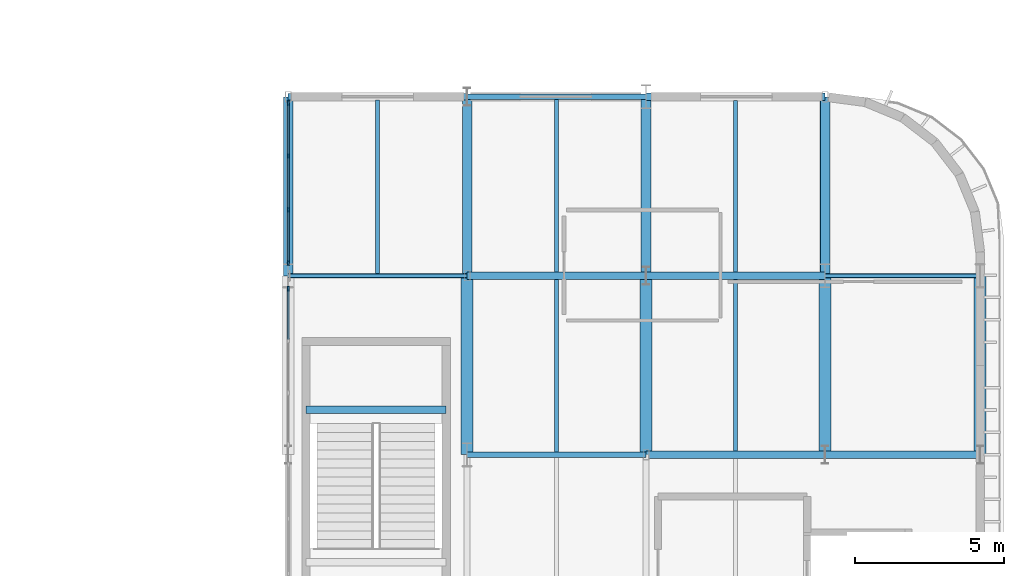
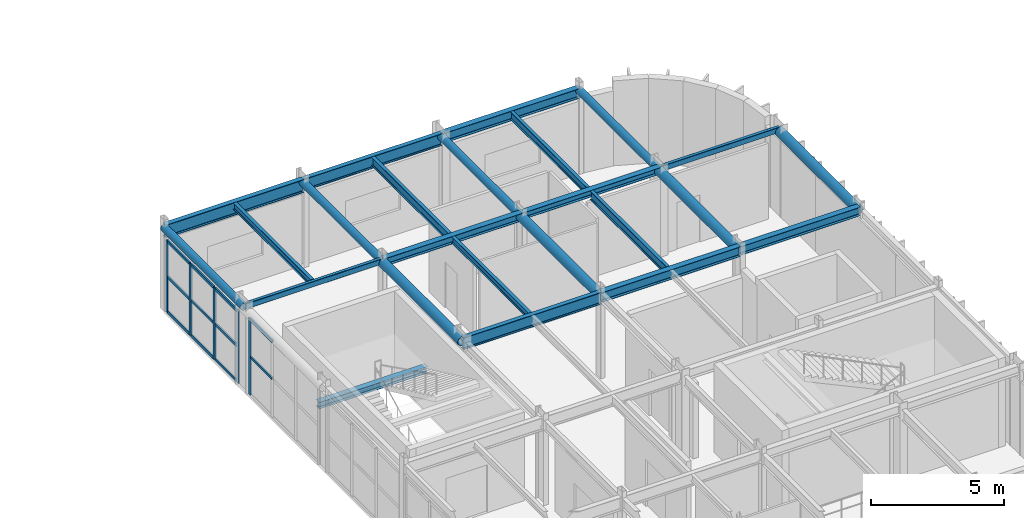
# One storey, part 74 of 116: 24 beams, 16 members, 2 elements without a shape of their own.
"""IFC4 building model written with IfcOpenShell, lengths in metres."""

import ifcopenshell
import ifcopenshell.guid

model = None  # the IFC model being written
_history = None  # IfcOwnerHistory: only IFC2X3 demands one
_inside = {}  # id of a spatial element -> (the spatial element, [elements in it])
_under = {}  # id of a project, library or spatial element -> (it, [spatial elements below it])
_declared = {}  # id of a project -> (the project, [libraries it declares])
_typed = {}  # id of a type object -> (the type object, [elements of that type])
_made_of = {}  # id of a material, layer set ... -> (it, [elements and type objects made of it])


def new_model(schema):
    """Start an empty IFC model of exactly this schema.

    Asked for "IFC4X3", IfcOpenShell would pick the latest addendum, in which some entities
    have other attributes; the version numbers below select the first issue.
    IFC2X3 requires an IfcOwnerHistory on every rooted entity: one is made here for all.
    """
    global model, _history
    if schema == "IFC4X3":
        model = ifcopenshell.file(schema_version=(4, 3, 0, 0))
    else:
        model = ifcopenshell.file(schema=schema)
    _inside.clear()
    _under.clear()
    _declared.clear()
    _typed.clear()
    _made_of.clear()
    _history = None
    if model.schema == "IFC2X3":
        org = make("IfcOrganization", Name="unknown")
        user = make(
            "IfcPersonAndOrganization",
            ThePerson=make("IfcPerson", FamilyName="unknown"),
            TheOrganization=org,
        )
        app = make(
            "IfcApplication",
            ApplicationDeveloper=org,
            Version="unknown",
            ApplicationFullName="unknown",
            ApplicationIdentifier="unknown",
        )
        _history = make(
            "IfcOwnerHistory",
            OwningUser=user,
            OwningApplication=app,
            ChangeAction="ADDED",
            CreationDate=0,
        )
    return model


def make(cls, **values):
    """One entity of the class cls with the attributes given. An attribute that is None is left unset."""
    return model.create_entity(
        cls, **{name: value for name, value in values.items() if value is not None}
    )


def rooted(cls, **values):
    """An entity with a GlobalId (a new one), such as an element, a storey or a relation."""
    return make(cls, GlobalId=ifcopenshell.guid.new(), OwnerHistory=_history, **values)


def si_unit(unit_type, name, prefix=None):
    """IfcSIUnit, for example si_unit("LENGTHUNIT", "METRE", prefix="MILLI")."""
    return make("IfcSIUnit", UnitType=unit_type, Prefix=prefix, Name=name)


def assignment(units):
    """IfcUnitAssignment: the units of a project."""
    return None if units is None else make("IfcUnitAssignment", Units=units)


def point(xyz):
    """IfcCartesianPoint."""
    return None if xyz is None else make("IfcCartesianPoint", Coordinates=xyz)


def direction(xyz):
    """IfcDirection."""
    return None if xyz is None else make("IfcDirection", DirectionRatios=xyz)


def frame(location, z_axis=None, x_axis=None):
    """IfcAxis2Placement3D, a coordinate frame: its origin and axes. An axis left out is left unset."""
    return make(
        "IfcAxis2Placement3D",
        Location=point(location),
        Axis=direction(z_axis),
        RefDirection=direction(x_axis),
    )


def frame_2d(location, x_axis=None):
    """IfcAxis2Placement2D, a coordinate frame in the plane: its origin and x axis."""
    return make(
        "IfcAxis2Placement2D", Location=point(location), RefDirection=direction(x_axis)
    )


def origin():
    """The frame at (0, 0, 0) with its axes left unset."""
    return frame((0.0, 0.0, 0.0))


def origin_2d():
    """The frame at (0, 0) in the plane with its x axis left unset."""
    return frame_2d((0.0, 0.0))


def place(relative_to, where):
    """IfcLocalPlacement: puts the frame where relative to a parent placement (None: the world)."""
    return make(
        "IfcLocalPlacement", PlacementRelTo=relative_to, RelativePlacement=where
    )


def context(
    kind, dimensions, precision=None, world=None, true_north=None, identifier=None
):
    """IfcGeometricRepresentationContext, for example the 3D "Model" context."""
    return make(
        "IfcGeometricRepresentationContext",
        ContextIdentifier=identifier,
        ContextType=kind,
        CoordinateSpaceDimension=dimensions,
        Precision=precision,
        WorldCoordinateSystem=world,
        TrueNorth=true_north,
    )


def subcontext(parent, identifier, kind, view, scale=None):
    """IfcGeometricRepresentationSubContext, for example "Body" below "Model"."""
    return make(
        "IfcGeometricRepresentationSubContext",
        ContextIdentifier=identifier,
        ContextType=kind,
        ParentContext=parent,
        TargetScale=scale,
        TargetView=view,
    )


def project(units=None, contexts=None):
    """IfcProject with its units and contexts."""
    return rooted(
        "IfcProject",
        Name="project",
        RepresentationContexts=contexts,
        UnitsInContext=assignment(units),
    )


def spatial(cls, under=None, at=None, **own):
    """A site, building, storey or space (cls), placed at a placement, below another one or the project."""
    s = rooted(cls, ObjectPlacement=at, **own)
    if under is not None:
        _under.setdefault(under.id(), (under, []))[1].append(s)
    return s


def profile(cls, at=None, kind="AREA", **sizes):
    """A parametric profile (cls). Its sizes go by their IFC names, for example OverallWidth=200.0."""
    return make(cls, ProfileType=kind, Position=at, **sizes)


def rectangle(**sizes):
    """IfcRectangleProfileDef."""
    return profile("IfcRectangleProfileDef", **sizes)


def hollow_rectangle(**sizes):
    """IfcRectangleHollowProfileDef."""
    return profile("IfcRectangleHollowProfileDef", **sizes)


def hollow_circle(**sizes):
    """IfcCircleHollowProfileDef."""
    return profile("IfcCircleHollowProfileDef", **sizes)


def i_section(**sizes):
    """IfcIShapeProfileDef."""
    return profile("IfcIShapeProfileDef", **sizes)


def extrude(swept, where, along, depth):
    """IfcExtrudedAreaSolid: the profile swept, set in the frame where, extruded along a direction by depth."""
    return make(
        "IfcExtrudedAreaSolid",
        SweptArea=swept,
        Position=where,
        ExtrudedDirection=direction(along),
        Depth=depth,
    )


def shape(context_of_items, identifier, shape_type, items):
    """IfcShapeRepresentation: the items that make up one representation, for example the "Body"."""
    return make(
        "IfcShapeRepresentation",
        ContextOfItems=context_of_items,
        RepresentationIdentifier=identifier,
        RepresentationType=shape_type,
        Items=items,
    )


def material(Name=None, Category=None):
    """IfcMaterial."""
    return make("IfcMaterial", Name=Name, Category=Category)


def material_profile(
    of_material, cross_section, Name=None, Category=None, Priority=None
):
    """IfcMaterialProfile: a cross section and its material."""
    return make(
        "IfcMaterialProfile",
        Name=Name,
        Material=of_material,
        Profile=cross_section,
        Priority=Priority,
        Category=Category,
    )


def profile_set(profiles, Name=None, composite=None):
    """IfcMaterialProfileSet."""
    return make(
        "IfcMaterialProfileSet",
        Name=Name,
        MaterialProfiles=profiles,
        CompositeProfile=composite,
    )


def made_of(thing, what):
    """Note that an element or type object is made of a material, layer set ...; save() writes the relation."""
    if what is not None:
        _made_of.setdefault(what.id(), (what, []))[1].append(thing)
    return thing


def type_object(cls, material=None, **own):
    """A type object (cls), such as IfcWallType, which elements share."""
    return made_of(rooted(cls, **own), material)


def element(
    cls,
    number,
    at=None,
    inside=None,
    cuts=None,
    type_object=None,
    material=None,
    context=None,
    identifier="Body",
    shape_type=None,
    held_by="IfcProductDefinitionShape",
    body=None,
    shapes=None,
    **own,
):
    """One element of the class cls, such as IfcWall. Its Tag is "e" and its number.

    at: its placement. inside: the storey or other place that contains it. cuts: it is an
    opening in that element (IfcRelVoidsElement). A single representation is given by context,
    identifier, shape_type and body (its items); several are given by shapes. held_by: the class
    of the entity that holds the representations. save() writes the other relations.
    """
    e = rooted(cls, Tag="e%d" % number, ObjectPlacement=at, **own)
    if body is not None:
        shapes = [shape(context, identifier, shape_type, body)]
    if shapes is not None:
        e.Representation = make(held_by, Representations=shapes)
    if inside is not None:
        _inside.setdefault(inside.id(), (inside, []))[1].append(e)
    if cuts is not None:
        rooted(
            "IfcRelVoidsElement", RelatingBuildingElement=cuts, RelatedOpeningElement=e
        )
    if type_object is not None:
        _typed.setdefault(type_object.id(), (type_object, []))[1].append(e)
    return made_of(e, material)


def aggregate(whole, parts):
    """IfcRelAggregates: a whole, such as a stair, and the parts it consists of."""
    return rooted("IfcRelAggregates", RelatingObject=whole, RelatedObjects=parts)


def save(model, path):
    """Write the relations noted so far, then the file.

    IfcRelAggregates (storeys below a building ...), IfcRelContainedInSpatialStructure (elements
    in a storey), IfcRelDefinesByType, IfcRelAssociatesMaterial and IfcRelDeclares: one each for
    every whole, place, type object, material and project.
    """
    for whole, parts in _under.values():
        aggregate(whole, parts)
    for where, things in _inside.values():
        rooted(
            "IfcRelContainedInSpatialStructure",
            RelatedElements=things,
            RelatingStructure=where,
        )
    for kind, things in _typed.values():
        rooted("IfcRelDefinesByType", RelatedObjects=things, RelatingType=kind)
    for what, things in _made_of.values():
        rooted("IfcRelAssociatesMaterial", RelatedObjects=things, RelatingMaterial=what)
    for by, libraries in _declared.values():
        rooted("IfcRelDeclares", RelatingContext=by, RelatedDefinitions=libraries)
    model.write(path)


model = new_model("IFC4")

# Units and contexts
model_context = context("Model", 3, precision=1e-05, world=origin(), true_north=direction((0.0, 1.0)))
body_context = subcontext(model_context, "Body", "Model", "MODEL_VIEW")
ifc_project = project(units=[si_unit("LENGTHUNIT", "METRE"), si_unit("AREAUNIT", "SQUARE_METRE"), si_unit("VOLUMEUNIT", "CUBIC_METRE"), si_unit("PLANEANGLEUNIT", "RADIAN"), si_unit("MASSUNIT", "GRAM", prefix="KILO")], contexts=[model_context])

# Site, building, storey
site_placement = place(None, origin())
site = spatial("IfcSite", under=ifc_project, at=site_placement, CompositionType="ELEMENT")
building_placement = place(site_placement, origin())
building = spatial("IfcBuilding", under=site, at=building_placement, Name="Varnakota Square Police Headquarters", CompositionType="ELEMENT")
storey_placement = place(building_placement, frame((0.0, 0.0, 9.300048828125)))
storey = spatial("IfcBuildingStorey", under=building, at=storey_placement, Name="L02", CompositionType="ELEMENT", Elevation=9.300048828125)

# Beams
ifc_material_1 = material(Name="Steel IS 2062 Grade 350", Category="steel")
ifc_material_profile_1 = material_profile(ifc_material_1, hollow_circle(Radius=0.161865234375, WallThickness=0.0126953125, at=origin_2d()), Name="CHS 323.9x12.7")
ifc_profile_set_1 = profile_set([ifc_material_profile_1], Name="Steel IS 2062 Grade 350")
beam_type_1 = type_object("IfcBeamType", Name="BM-ARC-CHS324", PredefinedType="BEAM", material=ifc_profile_set_1)
for number, where, z_axis, x_axis, name in (
    (1, (138.0, 39.0, 3.738037109375), (0.0, 1.0, 0.0), (-1.0, 0.0, 0.0), "BMG-L02-2273"),
    (2, (144.0, 39.0, 3.738037109375), (0.0, 1.0, 0.0), (-1.0, 0.0, 0.0), "BMG-L02-2287"),
    (3, (150.0, 39.0, 3.738037109375), (0.0, 1.0, 0.0), (-1.0, 0.0, 0.0), "BMG-L02-2301"),
    (4, (156.0, 39.0, 3.738037109375), (0.0, 1.0, 0.0), (-1.0, 0.0, 0.0), "BMG-L02-2306"),
):
    element("IfcBeam", number, at=place(storey_placement, frame(where, z_axis=z_axis, x_axis=x_axis)), inside=storey, type_object=beam_type_1, Name=name, PredefinedType="BEAM", context=body_context, shape_type="SweptSolid", body=[
        extrude(hollow_circle(Radius=0.161865234375, WallThickness=0.0126953125, at=origin_2d()), origin(), (0.0, 0.0, 1.0), 6.0),
    ])
ifc_material_profile_2 = material_profile(ifc_material_1, hollow_circle(Radius=0.203125, WallThickness=0.01611328125, at=origin_2d()), Name="CHS 406.4x16.0")
ifc_profile_set_2 = profile_set([ifc_material_profile_2], Name="Steel IS 2062 Grade 350")
beam_type_2 = type_object("IfcBeamType", Name="BM-ARC-CHS406", PredefinedType="BEAM", material=ifc_profile_set_2)
for number, where, z_axis, x_axis, name in (
    (5, (144.0, 33.0, 3.69677734375), (0.0, 1.0, 0.0), (-1.0, 0.0, 0.0), "BMG-L02-2286"),
    (6, (150.0, 33.0, 3.69677734375), (0.0, 1.0, 0.0), (-1.0, 0.0, 0.0), "BMG-L02-2300"),
    (7, (156.0, 33.0, 3.69677734375), (0.0, 1.0, 0.0), (-1.0, 0.0, 0.0), "BMG-L02-2305"),
    (8, (161.199951171875, 33.0, 3.69677734375), (0.0, 1.0, 0.0), (-1.0, 0.0, 0.0), "BMG-L02-2311"),
):
    element("IfcBeam", number, at=place(storey_placement, frame(where, z_axis=z_axis, x_axis=x_axis)), inside=storey, type_object=beam_type_2, Name=name, PredefinedType="BEAM", context=body_context, shape_type="SweptSolid", body=[
        extrude(hollow_circle(Radius=0.203125, WallThickness=0.01611328125, at=origin_2d()), origin(), (0.0, 0.0, 1.0), 6.0),
    ])
ifc_material_profile_3 = material_profile(ifc_material_1, hollow_rectangle(XDim=0.14990234375, YDim=0.25, WallThickness=0.010009765625, InnerFilletRadius=0.010009765625, OuterFilletRadius=0.02001953125, at=origin_2d()), Name="RHS 250x150x10")
ifc_profile_set_3 = profile_set([ifc_material_profile_3], Name="Steel IS 2062 Grade 350")
beam_type_3 = type_object("IfcBeamType", Name="BM-CBEAM-RHS250", PredefinedType="BEAM", material=ifc_profile_set_3)
beam_1_placement = place(storey_placement, frame((138.0, 39.0, 3.77490234375), z_axis=(1.0, 0.0, 0.0), x_axis=(0.0, 1.0, 0.0)))
element("IfcBeam", 9, at=beam_1_placement, inside=storey, type_object=beam_type_3, Name="BMG-L02-1977", PredefinedType="BEAM", context=body_context, shape_type="SweptSolid", body=[
    extrude(hollow_rectangle(XDim=0.14990234375, YDim=0.25, WallThickness=0.010009765625, InnerFilletRadius=0.010009765625, OuterFilletRadius=0.02001953125, at=origin_2d()), origin(), (0.0, 0.0, 1.0), 6.0),
])
beam_2_placement = place(storey_placement, frame((156.0, 39.0, 3.77490234375), z_axis=(1.0, 0.0, 0.0), x_axis=(0.0, 1.0, 0.0)))
element("IfcBeam", 10, at=beam_2_placement, inside=storey, type_object=beam_type_3, Name="BMG-L02-1980", PredefinedType="BEAM", context=body_context, shape_type="SweptSolid", body=[
    extrude(hollow_rectangle(XDim=0.14990234375, YDim=0.25, WallThickness=0.010009765625, InnerFilletRadius=0.010009765625, OuterFilletRadius=0.02001953125, at=origin_2d()), origin(), (0.0, 0.0, 1.0), 5.199951171875),
])
ifc_material_profile_4 = material_profile(ifc_material_1, i_section(OverallWidth=0.25, OverallDepth=0.300048828125, WebThickness=0.009521484375, FlangeThickness=0.010498046875, FilletRadius=0.011962890625, at=origin_2d()), Name="ISHB 300")
ifc_profile_set_4 = profile_set([ifc_material_profile_4], Name="Steel IS 2062 Grade 350")
beam_type_4 = type_object("IfcBeamType", Name="BM-ISHB300", PredefinedType="BEAM", material=ifc_profile_set_4)
beam_3_placement = place(storey_placement, frame((150.0, 39.0, 3.75), z_axis=(1.0, 0.0, 0.0), x_axis=(0.0, 1.0, 0.0)))
element("IfcBeam", 11, at=beam_3_placement, inside=storey, type_object=beam_type_4, Name="BMG-L02-1979", PredefinedType="BEAM", context=body_context, shape_type="SweptSolid", body=[
    extrude(i_section(OverallWidth=0.25, OverallDepth=0.300048828125, WebThickness=0.009521484375, FlangeThickness=0.010498046875, FilletRadius=0.011962890625, at=origin_2d()), origin(), (0.0, 0.0, 1.0), 6.0),
])
beam_4_placement = place(storey_placement, frame((138.60009765625, 34.500732421875, 1.787841796875), z_axis=(1.0, 0.0, 0.0), x_axis=(0.0, 1.0, 0.0)))
element("IfcBeam", 12, at=beam_4_placement, inside=storey, type_object=beam_type_4, Name="Stair landing support beam BM-LND-0036", PredefinedType="BEAM", context=body_context, shape_type="SweptSolid", body=[
    extrude(i_section(OverallWidth=0.25, OverallDepth=0.300048828125, WebThickness=0.009521484375, FlangeThickness=0.010498046875, FilletRadius=0.011962890625, at=origin_2d()), origin(), (0.0, 0.0, 1.0), 4.699951171875),
])
ifc_material_profile_5 = material_profile(ifc_material_1, i_section(OverallWidth=0.25, OverallDepth=0.35009765625, WebThickness=0.010009765625, FlangeThickness=0.01171875, FilletRadius=0.011962890625, at=origin_2d()), Name="ISHB 350")
ifc_profile_set_5 = profile_set([ifc_material_profile_5], Name="Steel IS 2062 Grade 350")
beam_type_5 = type_object("IfcBeamType", Name="BM-ISHB350", PredefinedType="BEAM", material=ifc_profile_set_5)
beam_5_placement = place(storey_placement, frame((144.0, 39.0, 3.724853515625), z_axis=(1.0, 0.0, 0.0), x_axis=(0.0, 1.0, 0.0)))
element("IfcBeam", 13, at=beam_5_placement, inside=storey, type_object=beam_type_5, Name="BMG-L02-1978", PredefinedType="BEAM", context=body_context, shape_type="SweptSolid", body=[
    extrude(i_section(OverallWidth=0.25, OverallDepth=0.35009765625, WebThickness=0.010009765625, FlangeThickness=0.01171875, FilletRadius=0.011962890625, at=origin_2d()), origin(), (0.0, 0.0, 1.0), 6.0),
])
ifc_material_profile_6 = material_profile(ifc_material_1, i_section(OverallWidth=0.25, OverallDepth=0.39990234375, WebThickness=0.010498046875, FlangeThickness=0.0126953125, FilletRadius=0.013916015625, at=origin_2d()), Name="ISHB 400")
ifc_profile_set_6 = profile_set([ifc_material_profile_6], Name="Steel IS 2062 Grade 350")
beam_type_6 = type_object("IfcBeamType", Name="BM-ISHB400", PredefinedType="BEAM", material=ifc_profile_set_6)
beam_6_placement = place(storey_placement, frame((156.0, 33.0, 3.699951171875), z_axis=(1.0, 0.0, 0.0), x_axis=(0.0, 1.0, 0.0)))
element("IfcBeam", 14, at=beam_6_placement, inside=storey, type_object=beam_type_6, Name="BMG-L02-1970", PredefinedType="BEAM", context=body_context, shape_type="SweptSolid", body=[
    extrude(i_section(OverallWidth=0.25, OverallDepth=0.39990234375, WebThickness=0.010498046875, FlangeThickness=0.0126953125, FilletRadius=0.013916015625, at=origin_2d()), origin(), (0.0, 0.0, 1.0), 5.199951171875),
])
ifc_material_profile_7 = material_profile(ifc_material_1, i_section(OverallWidth=0.25, OverallDepth=0.449951171875, WebThickness=0.01123046875, FlangeThickness=0.013671875, FilletRadius=0.014892578125, at=origin_2d()), Name="ISHB 450")
ifc_profile_set_7 = profile_set([ifc_material_profile_7], Name="Steel IS 2062 Grade 350")
beam_type_7 = type_object("IfcBeamType", Name="BM-ISHB450", PredefinedType="BEAM", material=ifc_profile_set_7)
for number, where, z_axis, x_axis, name in (
    (15, (150.0, 33.0, 3.675048828125), (1.0, 0.0, 0.0), (0.0, 1.0, 0.0), "BMG-L02-1969"),
    (16, (150.0, 45.0, 3.675048828125), (1.0, 0.0, 0.0), (0.0, 1.0, 0.0), "BMG-L02-1988"),
):
    element("IfcBeam", number, at=place(storey_placement, frame(where, z_axis=z_axis, x_axis=x_axis)), inside=storey, type_object=beam_type_7, Name=name, PredefinedType="BEAM", context=body_context, shape_type="SweptSolid", body=[
        extrude(i_section(OverallWidth=0.25, OverallDepth=0.449951171875, WebThickness=0.01123046875, FlangeThickness=0.013671875, FilletRadius=0.014892578125, at=origin_2d()), origin(), (0.0, 0.0, 1.0), 6.0),
    ])
ifc_material_profile_8 = material_profile(ifc_material_1, i_section(OverallWidth=0.139892578125, OverallDepth=0.300048828125, WebThickness=0.0078125, FlangeThickness=0.01318359375, FilletRadius=0.013916015625, at=origin_2d()), Name="ISMB 300")
ifc_profile_set_8 = profile_set([ifc_material_profile_8], Name="Steel IS 2062 Grade 350")
beam_type_8 = type_object("IfcBeamType", Name="BM-ISMB300", PredefinedType="JOIST", material=ifc_profile_set_8)
beam_7_placement = place(storey_placement, frame((141.0, 39.072998046875, 3.75), z_axis=(0.0, 1.0, 0.0), x_axis=(-1.0, 0.0, 0.0)))
element("IfcBeam", 17, at=beam_7_placement, inside=storey, type_object=beam_type_8, Name="BMG-L02-2403", PredefinedType="JOIST", context=body_context, shape_type="SweptSolid", body=[
    extrude(i_section(OverallWidth=0.139892578125, OverallDepth=0.300048828125, WebThickness=0.0078125, FlangeThickness=0.01318359375, FilletRadius=0.013916015625, at=origin_2d()), origin(), (0.0, 0.0, 1.0), 5.823974609375),
])
beam_8_placement = place(storey_placement, frame((147.0, 33.093017578125, 3.75), z_axis=(0.0, 1.0, 0.0), x_axis=(-1.0, 0.0, 0.0)))
element("IfcBeam", 18, at=beam_8_placement, inside=storey, type_object=beam_type_8, Name="BMG-L02-2414", PredefinedType="JOIST", context=body_context, shape_type="SweptSolid", body=[
    extrude(i_section(OverallWidth=0.139892578125, OverallDepth=0.300048828125, WebThickness=0.0078125, FlangeThickness=0.01318359375, FilletRadius=0.013916015625, at=origin_2d()), origin(), (0.0, 0.0, 1.0), 5.783935546875),
])
ifc_material_profile_9 = material_profile(ifc_material_1, i_section(OverallWidth=0.139892578125, OverallDepth=0.35009765625, WebThickness=0.008056640625, FlangeThickness=0.01416015625, FilletRadius=0.013916015625, at=origin_2d()), Name="ISMB 350")
ifc_profile_set_9 = profile_set([ifc_material_profile_9], Name="Steel IS 2062 Grade 350")
beam_type_9 = type_object("IfcBeamType", Name="BM-ISMB350", PredefinedType="JOIST", material=ifc_profile_set_9)
beam_9_placement = place(storey_placement, frame((153.0, 39.123046875, 3.724853515625), z_axis=(0.0, 1.0, 0.0), x_axis=(-1.0, 0.0, 0.0)))
element("IfcBeam", 19, at=beam_9_placement, inside=storey, type_object=beam_type_9, Name="BMG-L02-2420", PredefinedType="JOIST", context=body_context, shape_type="SweptSolid", body=[
    extrude(i_section(OverallWidth=0.139892578125, OverallDepth=0.35009765625, WebThickness=0.008056640625, FlangeThickness=0.01416015625, FilletRadius=0.013916015625, at=origin_2d()), origin(), (0.0, 0.0, 1.0), 5.75390625),
])
ifc_material_profile_10 = material_profile(ifc_material_1, i_section(OverallWidth=0.139892578125, OverallDepth=0.39990234375, WebThickness=0.0087890625, FlangeThickness=0.01611328125, FilletRadius=0.013916015625, at=origin_2d()), Name="ISMB 400")
ifc_profile_set_10 = profile_set([ifc_material_profile_10], Name="Steel IS 2062 Grade 350")
beam_type_10 = type_object("IfcBeamType", Name="BM-ISMB400", PredefinedType="JOIST", material=ifc_profile_set_10)
beam_10_placement = place(storey_placement, frame((147.0, 39.123046875, 3.699951171875), z_axis=(0.0, 1.0, 0.0), x_axis=(-1.0, 0.0, 0.0)))
element("IfcBeam", 20, at=beam_10_placement, inside=storey, type_object=beam_type_10, Name="BMG-L02-2415", PredefinedType="JOIST", context=body_context, shape_type="SweptSolid", body=[
    extrude(i_section(OverallWidth=0.139892578125, OverallDepth=0.39990234375, WebThickness=0.0087890625, FlangeThickness=0.01611328125, FilletRadius=0.013916015625, at=origin_2d()), origin(), (0.0, 0.0, 1.0), 5.783935546875),
])
beam_11_placement = place(storey_placement, frame((153.0, 33.123046875, 3.699951171875), z_axis=(0.0, 1.0, 0.0), x_axis=(-1.0, 0.0, 0.0)))
element("IfcBeam", 21, at=beam_11_placement, inside=storey, type_object=beam_type_10, Name="BMG-L02-2419", PredefinedType="JOIST", context=body_context, shape_type="SweptSolid", body=[
    extrude(i_section(OverallWidth=0.139892578125, OverallDepth=0.39990234375, WebThickness=0.0087890625, FlangeThickness=0.01611328125, FilletRadius=0.013916015625, at=origin_2d()), origin(), (0.0, 0.0, 1.0), 5.75390625),
])
ifc_material_profile_11 = material_profile(ifc_material_1, i_section(OverallWidth=0.18994140625, OverallDepth=0.550048828125, WebThickness=0.01123046875, FlangeThickness=0.019287109375, FilletRadius=0.01806640625, at=origin_2d()), Name="ISMB 550")
ifc_profile_set_11 = profile_set([ifc_material_profile_11], Name="Steel IS 2062 Grade 350")
beam_type_11 = type_object("IfcBeamType", Name="BM-ISMB550", PredefinedType="BEAM", material=ifc_profile_set_11)
for number, where, z_axis, x_axis, name in (
    (22, (144.0, 33.0, 3.625), (1.0, 0.0, 0.0), (0.0, 1.0, 0.0), "BMG-L02-1968"),
    (23, (144.0, 45.0, 3.625), (1.0, 0.0, 0.0), (0.0, 1.0, 0.0), "BMG-L02-1987"),
):
    element("IfcBeam", number, at=place(storey_placement, frame(where, z_axis=z_axis, x_axis=x_axis)), inside=storey, type_object=beam_type_11, Name=name, PredefinedType="BEAM", context=body_context, shape_type="SweptSolid", body=[
        extrude(i_section(OverallWidth=0.18994140625, OverallDepth=0.550048828125, WebThickness=0.01123046875, FlangeThickness=0.019287109375, FilletRadius=0.01806640625, at=origin_2d()), origin(), (0.0, 0.0, 1.0), 6.0),
    ])
ifc_material_profile_12 = material_profile(ifc_material_1, i_section(OverallWidth=0.2099609375, OverallDepth=0.60009765625, WebThickness=0.011962890625, FlangeThickness=0.020751953125, FilletRadius=0.02001953125, at=origin_2d()), Name="ISMB 600")
ifc_profile_set_12 = profile_set([ifc_material_profile_12], Name="Steel IS 2062 Grade 350")
beam_type_12 = type_object("IfcBeamType", Name="BM-ISMB600", PredefinedType="BEAM", material=ifc_profile_set_12)
beam_12_placement = place(storey_placement, frame((138.0, 45.0, 3.599853515625), z_axis=(1.0, 0.0, 0.0), x_axis=(0.0, 1.0, 0.0)))
element("IfcBeam", 24, at=beam_12_placement, inside=storey, type_object=beam_type_12, Name="BMG-L02-1986", PredefinedType="BEAM", context=body_context, shape_type="SweptSolid", body=[
    extrude(i_section(OverallWidth=0.2099609375, OverallDepth=0.60009765625, WebThickness=0.011962890625, FlangeThickness=0.020751953125, FilletRadius=0.02001953125, at=origin_2d()), origin(), (0.0, 0.0, 1.0), 6.0),
])

# Curtain wall, member
ifc_material_2 = material(Name="Anodised Aluminium Framing", Category="aluminium")
curtain_wall_type = type_object("IfcCurtainWallType", Name="CW-SYS-E", PredefinedType="NOTDEFINED", material=ifc_material_2)
curtain_wall_1_placement = place(storey_placement, origin())
curtain_wall_1 = element("IfcCurtainWall", 25, at=curtain_wall_1_placement, inside=storey, type_object=curtain_wall_type, Name="Unitised curtain wall CWG-L02-075", PredefinedType="NOTDEFINED")
ifc_material_3 = material(Name="Anodised Aluminium 6063-T6", Category="aluminium")
ifc_material_profile_13 = material_profile(ifc_material_3, rectangle(XDim=0.06494140625, YDim=0.159912109375, at=origin_2d()), Name="ALU MULLION 65x160")
ifc_profile_set_13 = profile_set([ifc_material_profile_13], Name="Anodised Aluminium 6063-T6")
member_type_1 = type_object("IfcMemberType", Name="CWM-150", PredefinedType="MULLION", material=ifc_profile_set_13)
member_1_placement = place(storey_placement, frame((138.0, 38.5625, 0.0), z_axis=(0.0, 0.0, 1.0), x_axis=(-1.0, 0.0, 0.0)))
member_1 = element("IfcMember", 26, at=member_1_placement, type_object=member_type_1, Name="CWG-L02-075 mullion 4", PredefinedType="MULLION", context=body_context, shape_type="SweptSolid", body=[
    extrude(rectangle(XDim=0.06494140625, YDim=0.159912109375, at=origin_2d()), origin(), (0.0, 0.0, 1.0), 3.483642578125),
])

# Curtain wall, members
curtain_wall_2_placement = place(storey_placement, origin())
curtain_wall_2 = element("IfcCurtainWall", 27, at=curtain_wall_2_placement, inside=storey, type_object=curtain_wall_type, Name="Unitised curtain wall CWG-L02-076", PredefinedType="NOTDEFINED")
member_2_placement = place(storey_placement, frame((138.0, 39.4375, 0.0), z_axis=(0.0, 0.0, 1.0), x_axis=(-1.0, 0.0, 0.0)))
member_2 = element("IfcMember", 28, at=member_2_placement, type_object=member_type_1, Name="CWG-L02-076 mullion 1", PredefinedType="MULLION", context=body_context, shape_type="SweptSolid", body=[
    extrude(rectangle(XDim=0.06494140625, YDim=0.159912109375, at=origin_2d()), origin(), (0.0, 0.0, 1.0), 3.2900390625),
])
member_3_placement = place(storey_placement, frame((138.0, 41.2099609375, 0.0), z_axis=(0.0, 0.0, 1.0), x_axis=(-1.0, 0.0, 0.0)))
member_3 = element("IfcMember", 29, at=member_3_placement, type_object=member_type_1, Name="CWG-L02-076 mullion 2", PredefinedType="MULLION", context=body_context, shape_type="SweptSolid", body=[
    extrude(rectangle(XDim=0.06494140625, YDim=0.159912109375, at=origin_2d()), origin(), (0.0, 0.0, 1.0), 3.2900390625),
])
member_4_placement = place(storey_placement, frame((138.0, 43.014892578125, 0.0), z_axis=(0.0, 0.0, 1.0), x_axis=(-1.0, 0.0, 0.0)))
member_4 = element("IfcMember", 30, at=member_4_placement, type_object=member_type_1, Name="CWG-L02-076 mullion 3", PredefinedType="MULLION", context=body_context, shape_type="SweptSolid", body=[
    extrude(rectangle(XDim=0.06494140625, YDim=0.159912109375, at=origin_2d()), origin(), (0.0, 0.0, 1.0), 3.2900390625),
])
member_5_placement = place(storey_placement, frame((138.0, 44.78759765625, 0.0), z_axis=(0.0, 0.0, 1.0), x_axis=(-1.0, 0.0, 0.0)))
member_5 = element("IfcMember", 31, at=member_5_placement, type_object=member_type_1, Name="CWG-L02-076 mullion 4", PredefinedType="MULLION", context=body_context, shape_type="SweptSolid", body=[
    extrude(rectangle(XDim=0.06494140625, YDim=0.159912109375, at=origin_2d()), origin(), (0.0, 0.0, 1.0), 3.2900390625),
])

# Member
ifc_material_profile_14 = material_profile(ifc_material_3, rectangle(XDim=0.06494140625, YDim=0.1298828125, at=origin_2d()), Name="ALU TRANSOM 65x130")
ifc_profile_set_14 = profile_set([ifc_material_profile_14], Name="Anodised Aluminium 6063-T6")
member_type_2 = type_object("IfcMemberType", Name="CWT-120", PredefinedType="USERDEFINED", material=ifc_profile_set_14)
member_6_placement = place(storey_placement, frame((138.0, 36.8642578125, 1.74169921875), z_axis=(0.0, 1.0, 0.0), x_axis=(-1.0, 0.0, 0.0)))
member_6 = element("IfcMember", 32, at=member_6_placement, type_object=member_type_2, Name="CWG-L02-075 transom 3.2", ObjectType="TRANSOM", PredefinedType="USERDEFINED", context=body_context, shape_type="SweptSolid", body=[
    extrude(rectangle(XDim=0.06494140625, YDim=0.1298828125, at=origin_2d()), origin(), (0.0, 0.0, 1.0), 1.665771484375),
])

member_7_placement = place(storey_placement, frame((138.0, 36.8642578125, 3.451171875), z_axis=(0.0, 1.0, 0.0), x_axis=(-1.0, 0.0, 0.0)))
member_7 = element("IfcMember", 33, at=member_7_placement, type_object=member_type_2, Name="CWG-L02-075 transom 3.3", ObjectType="TRANSOM", PredefinedType="USERDEFINED", context=body_context, shape_type="SweptSolid", body=[
    extrude(rectangle(XDim=0.06494140625, YDim=0.1298828125, at=origin_2d()), origin(), (0.0, 0.0, 1.0), 1.665771484375),
])

aggregate(curtain_wall_1, [member_1, member_6, member_7])

member_8_placement = place(storey_placement, frame((138.0, 39.469970703125, 0.032470703125), z_axis=(0.0, 1.0, 0.0), x_axis=(-1.0, 0.0, 0.0)))
member_8 = element("IfcMember", 34, at=member_8_placement, type_object=member_type_2, Name="CWG-L02-076 transom 1.1", ObjectType="TRANSOM", PredefinedType="USERDEFINED", context=body_context, shape_type="SweptSolid", body=[
    extrude(rectangle(XDim=0.06494140625, YDim=0.1298828125, at=origin_2d()), origin(), (0.0, 0.0, 1.0), 1.70751953125),
])

member_9_placement = place(storey_placement, frame((138.0, 39.469970703125, 1.64501953125), z_axis=(0.0, 1.0, 0.0), x_axis=(-1.0, 0.0, 0.0)))
member_9 = element("IfcMember", 35, at=member_9_placement, type_object=member_type_2, Name="CWG-L02-076 transom 1.2", ObjectType="TRANSOM", PredefinedType="USERDEFINED", context=body_context, shape_type="SweptSolid", body=[
    extrude(rectangle(XDim=0.06494140625, YDim=0.1298828125, at=origin_2d()), origin(), (0.0, 0.0, 1.0), 1.70751953125),
])

member_10_placement = place(storey_placement, frame((138.0, 39.469970703125, 3.257568359375), z_axis=(0.0, 1.0, 0.0), x_axis=(-1.0, 0.0, 0.0)))
member_10 = element("IfcMember", 36, at=member_10_placement, type_object=member_type_2, Name="CWG-L02-076 transom 1.3", ObjectType="TRANSOM", PredefinedType="USERDEFINED", context=body_context, shape_type="SweptSolid", body=[
    extrude(rectangle(XDim=0.06494140625, YDim=0.1298828125, at=origin_2d()), origin(), (0.0, 0.0, 1.0), 1.70751953125),
])

member_11_placement = place(storey_placement, frame((138.0, 41.242431640625, 0.032470703125), z_axis=(0.0, 1.0, 0.0), x_axis=(-1.0, 0.0, 0.0)))
member_11 = element("IfcMember", 37, at=member_11_placement, type_object=member_type_2, Name="CWG-L02-076 transom 2.1", ObjectType="TRANSOM", PredefinedType="USERDEFINED", context=body_context, shape_type="SweptSolid", body=[
    extrude(rectangle(XDim=0.06494140625, YDim=0.1298828125, at=origin_2d()), origin(), (0.0, 0.0, 1.0), 1.739990234375),
])

member_12_placement = place(storey_placement, frame((138.0, 41.242431640625, 1.64501953125), z_axis=(0.0, 1.0, 0.0), x_axis=(-1.0, 0.0, 0.0)))
member_12 = element("IfcMember", 38, at=member_12_placement, type_object=member_type_2, Name="CWG-L02-076 transom 2.2", ObjectType="TRANSOM", PredefinedType="USERDEFINED", context=body_context, shape_type="SweptSolid", body=[
    extrude(rectangle(XDim=0.06494140625, YDim=0.1298828125, at=origin_2d()), origin(), (0.0, 0.0, 1.0), 1.739990234375),
])

member_13_placement = place(storey_placement, frame((138.0, 41.242431640625, 3.257568359375), z_axis=(0.0, 1.0, 0.0), x_axis=(-1.0, 0.0, 0.0)))
member_13 = element("IfcMember", 39, at=member_13_placement, type_object=member_type_2, Name="CWG-L02-076 transom 2.3", ObjectType="TRANSOM", PredefinedType="USERDEFINED", context=body_context, shape_type="SweptSolid", body=[
    extrude(rectangle(XDim=0.06494140625, YDim=0.1298828125, at=origin_2d()), origin(), (0.0, 0.0, 1.0), 1.739990234375),
])

member_14_placement = place(storey_placement, frame((138.0, 43.047607421875, 0.032470703125), z_axis=(0.0, 1.0, 0.0), x_axis=(-1.0, 0.0, 0.0)))
member_14 = element("IfcMember", 40, at=member_14_placement, type_object=member_type_2, Name="CWG-L02-076 transom 3.1", ObjectType="TRANSOM", PredefinedType="USERDEFINED", context=body_context, shape_type="SweptSolid", body=[
    extrude(rectangle(XDim=0.06494140625, YDim=0.1298828125, at=origin_2d()), origin(), (0.0, 0.0, 1.0), 1.707275390625),
])

member_15_placement = place(storey_placement, frame((138.0, 43.047607421875, 1.64501953125), z_axis=(0.0, 1.0, 0.0), x_axis=(-1.0, 0.0, 0.0)))
member_15 = element("IfcMember", 41, at=member_15_placement, type_object=member_type_2, Name="CWG-L02-076 transom 3.2", ObjectType="TRANSOM", PredefinedType="USERDEFINED", context=body_context, shape_type="SweptSolid", body=[
    extrude(rectangle(XDim=0.06494140625, YDim=0.1298828125, at=origin_2d()), origin(), (0.0, 0.0, 1.0), 1.707275390625),
])

member_16_placement = place(storey_placement, frame((138.0, 43.047607421875, 3.257568359375), z_axis=(0.0, 1.0, 0.0), x_axis=(-1.0, 0.0, 0.0)))
member_16 = element("IfcMember", 42, at=member_16_placement, type_object=member_type_2, Name="CWG-L02-076 transom 3.3", ObjectType="TRANSOM", PredefinedType="USERDEFINED", context=body_context, shape_type="SweptSolid", body=[
    extrude(rectangle(XDim=0.06494140625, YDim=0.1298828125, at=origin_2d()), origin(), (0.0, 0.0, 1.0), 1.707275390625),
])

aggregate(curtain_wall_2, [member_2, member_3, member_4, member_5, member_8, member_9, member_10, member_11, member_12, member_13, member_14, member_15, member_16])

save(model, "model.ifc")
